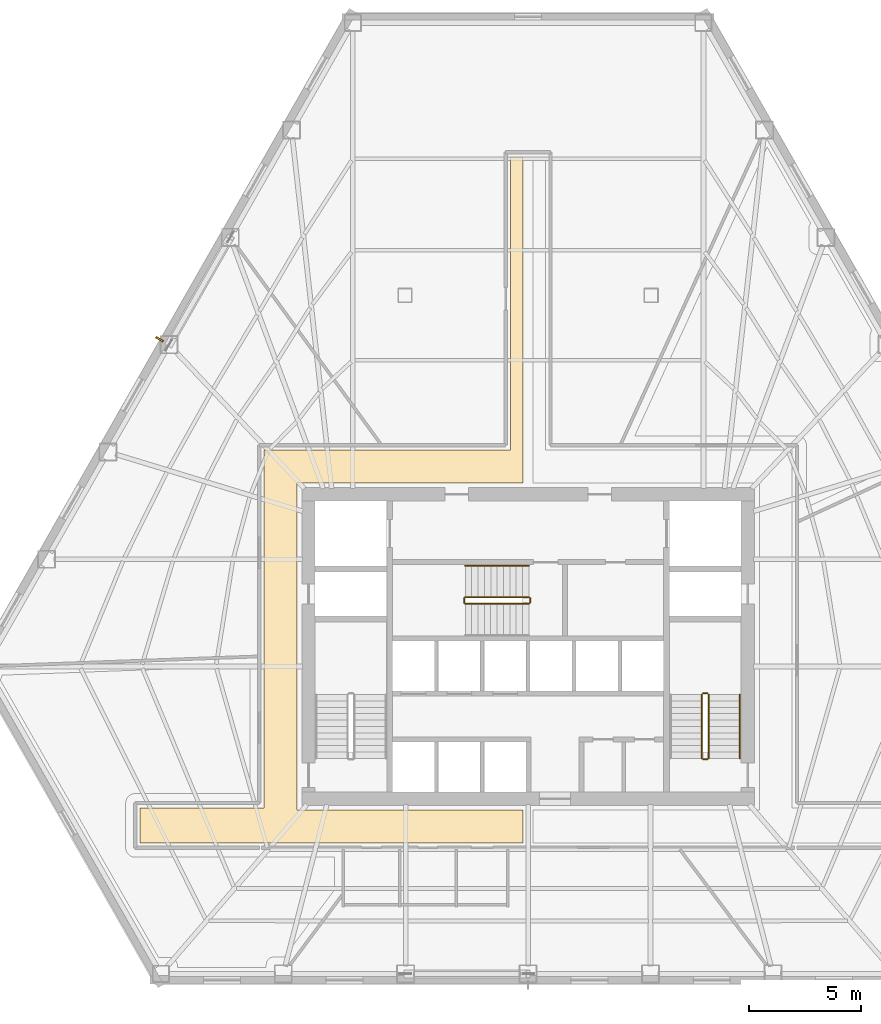
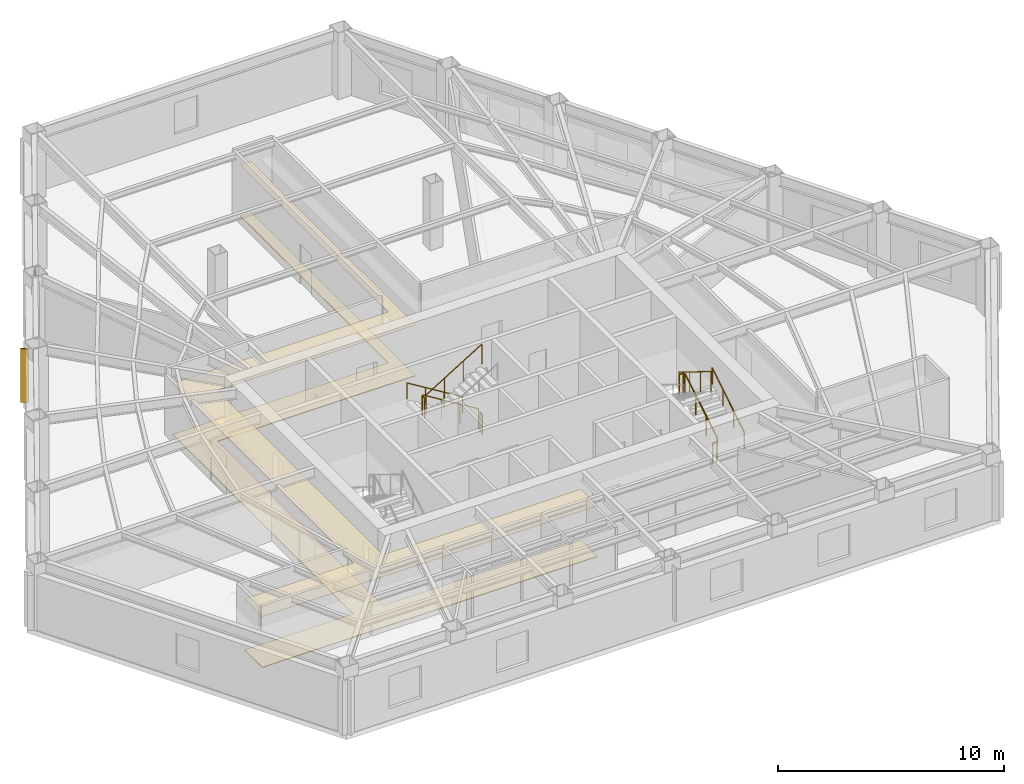
# One storey, part 10 of 11: 10 railings, 2 coverings, 1 shading device.
"""IFC4 building model written with IfcOpenShell, lengths in metres."""

import ifcopenshell
import ifcopenshell.guid

model = None  # the IFC model being written
_history = None  # IfcOwnerHistory: only IFC2X3 demands one
_inside = {}  # id of a spatial element -> (the spatial element, [elements in it])
_under = {}  # id of a project, library or spatial element -> (it, [spatial elements below it])
_declared = {}  # id of a project -> (the project, [libraries it declares])
_typed = {}  # id of a type object -> (the type object, [elements of that type])
_made_of = {}  # id of a material, layer set ... -> (it, [elements and type objects made of it])


def new_model(schema):
    """Start an empty IFC model of exactly this schema.

    Asked for "IFC4X3", IfcOpenShell would pick the latest addendum, in which some entities
    have other attributes; the version numbers below select the first issue.
    IFC2X3 requires an IfcOwnerHistory on every rooted entity: one is made here for all.
    """
    global model, _history
    if schema == "IFC4X3":
        model = ifcopenshell.file(schema_version=(4, 3, 0, 0))
    else:
        model = ifcopenshell.file(schema=schema)
    _inside.clear()
    _under.clear()
    _declared.clear()
    _typed.clear()
    _made_of.clear()
    _history = None
    if model.schema == "IFC2X3":
        org = make("IfcOrganization", Name="unknown")
        user = make(
            "IfcPersonAndOrganization",
            ThePerson=make("IfcPerson", FamilyName="unknown"),
            TheOrganization=org,
        )
        app = make(
            "IfcApplication",
            ApplicationDeveloper=org,
            Version="unknown",
            ApplicationFullName="unknown",
            ApplicationIdentifier="unknown",
        )
        _history = make(
            "IfcOwnerHistory",
            OwningUser=user,
            OwningApplication=app,
            ChangeAction="ADDED",
            CreationDate=0,
        )
    return model


def make(cls, **values):
    """One entity of the class cls with the attributes given. An attribute that is None is left unset."""
    return model.create_entity(
        cls, **{name: value for name, value in values.items() if value is not None}
    )


def rooted(cls, **values):
    """An entity with a GlobalId (a new one), such as an element, a storey or a relation."""
    return make(cls, GlobalId=ifcopenshell.guid.new(), OwnerHistory=_history, **values)


def si_unit(unit_type, name, prefix=None):
    """IfcSIUnit, for example si_unit("LENGTHUNIT", "METRE", prefix="MILLI")."""
    return make("IfcSIUnit", UnitType=unit_type, Prefix=prefix, Name=name)


def assignment(units):
    """IfcUnitAssignment: the units of a project."""
    return None if units is None else make("IfcUnitAssignment", Units=units)


def point(xyz):
    """IfcCartesianPoint."""
    return None if xyz is None else make("IfcCartesianPoint", Coordinates=xyz)


def direction(xyz):
    """IfcDirection."""
    return None if xyz is None else make("IfcDirection", DirectionRatios=xyz)


def frame(location, z_axis=None, x_axis=None):
    """IfcAxis2Placement3D, a coordinate frame: its origin and axes. An axis left out is left unset."""
    return make(
        "IfcAxis2Placement3D",
        Location=point(location),
        Axis=direction(z_axis),
        RefDirection=direction(x_axis),
    )


def frame_2d(location, x_axis=None):
    """IfcAxis2Placement2D, a coordinate frame in the plane: its origin and x axis."""
    return make(
        "IfcAxis2Placement2D", Location=point(location), RefDirection=direction(x_axis)
    )


def origin():
    """The frame at (0, 0, 0) with its axes left unset."""
    return frame((0.0, 0.0, 0.0))


def origin_2d():
    """The frame at (0, 0) in the plane with its x axis left unset."""
    return frame_2d((0.0, 0.0))


def place(relative_to, where):
    """IfcLocalPlacement: puts the frame where relative to a parent placement (None: the world)."""
    return make(
        "IfcLocalPlacement", PlacementRelTo=relative_to, RelativePlacement=where
    )


def context(
    kind, dimensions, precision=None, world=None, true_north=None, identifier=None
):
    """IfcGeometricRepresentationContext, for example the 3D "Model" context."""
    return make(
        "IfcGeometricRepresentationContext",
        ContextIdentifier=identifier,
        ContextType=kind,
        CoordinateSpaceDimension=dimensions,
        Precision=precision,
        WorldCoordinateSystem=world,
        TrueNorth=true_north,
    )


def subcontext(parent, identifier, kind, view, scale=None):
    """IfcGeometricRepresentationSubContext, for example "Body" below "Model"."""
    return make(
        "IfcGeometricRepresentationSubContext",
        ContextIdentifier=identifier,
        ContextType=kind,
        ParentContext=parent,
        TargetScale=scale,
        TargetView=view,
    )


def project(units=None, contexts=None):
    """IfcProject with its units and contexts."""
    return rooted(
        "IfcProject",
        Name="project",
        RepresentationContexts=contexts,
        UnitsInContext=assignment(units),
    )


def spatial(cls, under=None, at=None, **own):
    """A site, building, storey or space (cls), placed at a placement, below another one or the project."""
    s = rooted(cls, ObjectPlacement=at, **own)
    if under is not None:
        _under.setdefault(under.id(), (under, []))[1].append(s)
    return s


def polyline(points):
    """IfcPolyline through the points."""
    return make("IfcPolyline", Points=[point(p) for p in points])


def profile(cls, at=None, kind="AREA", **sizes):
    """A parametric profile (cls). Its sizes go by their IFC names, for example OverallWidth=200.0."""
    return make(cls, ProfileType=kind, Position=at, **sizes)


def rectangle(**sizes):
    """IfcRectangleProfileDef."""
    return profile("IfcRectangleProfileDef", **sizes)


def circle(**sizes):
    """IfcCircleProfileDef."""
    return profile("IfcCircleProfileDef", **sizes)


def outline(outer, holes=None, kind="AREA"):
    """IfcArbitraryClosedProfileDef: a profile drawn as a closed curve; with holes, ...WithVoids."""
    if holes is None:
        return make("IfcArbitraryClosedProfileDef", ProfileType=kind, OuterCurve=outer)
    return make(
        "IfcArbitraryProfileDefWithVoids",
        ProfileType=kind,
        OuterCurve=outer,
        InnerCurves=holes,
    )


def extrude(swept, where, along, depth):
    """IfcExtrudedAreaSolid: the profile swept, set in the frame where, extruded along a direction by depth."""
    return make(
        "IfcExtrudedAreaSolid",
        SweptArea=swept,
        Position=where,
        ExtrudedDirection=direction(along),
        Depth=depth,
    )


def shape(context_of_items, identifier, shape_type, items):
    """IfcShapeRepresentation: the items that make up one representation, for example the "Body"."""
    return make(
        "IfcShapeRepresentation",
        ContextOfItems=context_of_items,
        RepresentationIdentifier=identifier,
        RepresentationType=shape_type,
        Items=items,
    )


def material(Name=None, Category=None):
    """IfcMaterial."""
    return make("IfcMaterial", Name=Name, Category=Category)


def layer(
    of_material, thickness, ventilated=None, Name=None, Category=None, Priority=None
):
    """IfcMaterialLayer: one layer of a wall or slab, of a material (None: an air gap)."""
    return make(
        "IfcMaterialLayer",
        Material=of_material,
        LayerThickness=thickness,
        IsVentilated=ventilated,
        Name=Name,
        Category=Category,
        Priority=Priority,
    )


def layer_set(layers, Name=None):
    """IfcMaterialLayerSet."""
    return make("IfcMaterialLayerSet", MaterialLayers=layers, LayerSetName=Name)


def made_of(thing, what):
    """Note that an element or type object is made of a material, layer set ...; save() writes the relation."""
    if what is not None:
        _made_of.setdefault(what.id(), (what, []))[1].append(thing)
    return thing


def type_object(cls, material=None, **own):
    """A type object (cls), such as IfcWallType, which elements share."""
    return made_of(rooted(cls, **own), material)


def element(
    cls,
    number,
    at=None,
    inside=None,
    cuts=None,
    type_object=None,
    material=None,
    context=None,
    identifier="Body",
    shape_type=None,
    held_by="IfcProductDefinitionShape",
    body=None,
    shapes=None,
    **own,
):
    """One element of the class cls, such as IfcWall. Its Tag is "e" and its number.

    at: its placement. inside: the storey or other place that contains it. cuts: it is an
    opening in that element (IfcRelVoidsElement). A single representation is given by context,
    identifier, shape_type and body (its items); several are given by shapes. held_by: the class
    of the entity that holds the representations. save() writes the other relations.
    """
    e = rooted(cls, Tag="e%d" % number, ObjectPlacement=at, **own)
    if body is not None:
        shapes = [shape(context, identifier, shape_type, body)]
    if shapes is not None:
        e.Representation = make(held_by, Representations=shapes)
    if inside is not None:
        _inside.setdefault(inside.id(), (inside, []))[1].append(e)
    if cuts is not None:
        rooted(
            "IfcRelVoidsElement", RelatingBuildingElement=cuts, RelatedOpeningElement=e
        )
    if type_object is not None:
        _typed.setdefault(type_object.id(), (type_object, []))[1].append(e)
    return made_of(e, material)


def aggregate(whole, parts):
    """IfcRelAggregates: a whole, such as a stair, and the parts it consists of."""
    return rooted("IfcRelAggregates", RelatingObject=whole, RelatedObjects=parts)


def save(model, path):
    """Write the relations noted so far, then the file.

    IfcRelAggregates (storeys below a building ...), IfcRelContainedInSpatialStructure (elements
    in a storey), IfcRelDefinesByType, IfcRelAssociatesMaterial and IfcRelDeclares: one each for
    every whole, place, type object, material and project.
    """
    for whole, parts in _under.values():
        aggregate(whole, parts)
    for where, things in _inside.values():
        rooted(
            "IfcRelContainedInSpatialStructure",
            RelatedElements=things,
            RelatingStructure=where,
        )
    for kind, things in _typed.values():
        rooted("IfcRelDefinesByType", RelatedObjects=things, RelatingType=kind)
    for what, things in _made_of.values():
        rooted("IfcRelAssociatesMaterial", RelatedObjects=things, RelatingMaterial=what)
    for by, libraries in _declared.values():
        rooted("IfcRelDeclares", RelatingContext=by, RelatedDefinitions=libraries)
    model.write(path)


model = new_model("IFC4")

# Units and contexts
model_context = context("Model", 3, precision=1e-05, world=origin(), true_north=direction((0.0, 1.0)))
body_context = subcontext(model_context, "Body", "Model", "MODEL_VIEW")
ifc_project = project(units=[si_unit("LENGTHUNIT", "METRE"), si_unit("AREAUNIT", "SQUARE_METRE"), si_unit("VOLUMEUNIT", "CUBIC_METRE"), si_unit("PLANEANGLEUNIT", "RADIAN"), si_unit("MASSUNIT", "GRAM", prefix="KILO")], contexts=[model_context])

# Site, building, storey
site_placement = place(None, origin())
site = spatial("IfcSite", under=ifc_project, at=site_placement, CompositionType="ELEMENT")
building_placement = place(site_placement, origin())
building = spatial("IfcBuilding", under=site, at=building_placement, Name="Kavelnor Concourse Tower", CompositionType="ELEMENT")
storey_placement = place(building_placement, frame((0.0, 0.0, 25.25)))
storey = spatial("IfcBuildingStorey", under=building, at=storey_placement, Name="L06", CompositionType="ELEMENT", Elevation=25.25)

# Coverings
ifc_material_1 = material(Name="Mineral fibre acoustic ceiling tile")
ifc_layer_1 = layer(ifc_material_1, 0.0400390625, Name="Mineral fibre acoustic ceiling tile")
ifc_layer_set_1 = layer_set([ifc_layer_1], Name="Mineral fibre acoustic ceiling tile")
covering_type_1 = type_object("IfcCoveringType", Name="COV-CEILING-ACOUSTIC", PredefinedType="CEILING", material=ifc_layer_set_1)
covering_1_placement = place(storey_placement, frame((0.0, 0.0, 2.75)))
element("IfcCovering", 1, at=covering_1_placement, inside=storey, type_object=covering_type_1, Name="L06 Suspended Acoustic Ceiling", PredefinedType="CEILING", context=body_context, shape_type="SweptSolid", body=[
    extrude(outline(polyline([(37.219970703125, 37.97998046875), (37.77490234375, 37.97998046875), (37.77490234375, 23.419921875), (27.659912109375, 23.419921875), (27.659912109375, 8.780029296875), (37.77490234375, 8.780029296875), (37.77490234375, 7.320068359375), (20.650390625, 7.320068359375), (20.650390625, 8.8798828125), (26.199951171875, 8.8798828125), (26.199951171875, 24.8798828125), (37.219970703125, 24.8798828125), (37.219970703125, 37.97998046875)])), origin(), (0.0, 0.0, 1.0), 0.0400390625),
])
ifc_material_2 = material(Name="Honed bluestone and raised access floor finish", Category="masonry")
ifc_layer_2 = layer(ifc_material_2, 0.0400390625, Name="Honed bluestone and raised access floor finish")
ifc_layer_set_2 = layer_set([ifc_layer_2], Name="Honed bluestone and raised access floor finish")
covering_type_2 = type_object("IfcCoveringType", Name="COV-FLOOR-STONE", PredefinedType="FLOORING", material=ifc_layer_set_2)
covering_2_placement = place(storey_placement, frame((0.0, 0.0, 0.001953125)))
element("IfcCovering", 2, at=covering_2_placement, inside=storey, type_object=covering_type_2, Name="L06 Honed Bluestone Floor Finish", PredefinedType="FLOORING", context=body_context, shape_type="SweptSolid", body=[
    extrude(outline(polyline([(37.219970703125, 37.97998046875), (37.77490234375, 37.97998046875), (37.77490234375, 23.419921875), (27.659912109375, 23.419921875), (27.659912109375, 8.780029296875), (37.77490234375, 8.780029296875), (37.77490234375, 7.320068359375), (20.650390625, 7.320068359375), (20.650390625, 8.8798828125), (26.199951171875, 8.8798828125), (26.199951171875, 24.8798828125), (37.219970703125, 24.8798828125), (37.219970703125, 37.97998046875)])), origin(), (0.0, 0.0, 1.0), 0.0400390625),
])

# Railings
ifc_material_3 = material(Name="Steel Grade 350", Category="steel")
railing_type_1 = type_object("IfcRailingType", Name="RLG-GUARD-1100", PredefinedType="GUARDRAIL", material=ifc_material_3)
railing_1_placement = place(storey_placement, frame((46.070068359375, 11.10009765625, 0.175048828125)))
element("IfcRailing", 3, at=railing_1_placement, inside=storey, type_object=railing_type_1, Name="L06 ST2 stair guard 1", PredefinedType="GUARDRAIL", context=body_context, shape_type="SweptSolid", body=[
    extrude(circle(Radius=0.02392578125, at=origin_2d()), frame((0.0, 0.0, 1.076171875), z_axis=(0.0, 0.852159232446, 0.523282564737), x_axis=(-1.0, 0.0, 0.0)), (0.0, 0.0, 1.0), 3.34423828125),
    extrude(circle(Radius=0.02099609375, at=origin_2d()), origin(), (0.0, 0.0, 1.0), 1.052001953125),
    extrude(circle(Radius=0.02099609375, at=origin_2d()), frame((0.0, 0.949951171875, 0.583251953125)), (0.0, 0.0, 1.0), 1.052001953125),
    extrude(circle(Radius=0.02099609375, at=origin_2d()), frame((0.0, 1.89990234375, 1.166748046875)), (0.0, 0.0, 1.0), 1.052001953125),
    extrude(circle(Radius=0.02099609375, at=origin_2d()), frame((0.0, 2.849853515625, 1.75)), (0.0, 0.0, 1.0), 1.052001953125),
])
railing_2_placement = place(storey_placement, frame((46.02001953125, 14.0, 1.925048828125)))
element("IfcRailing", 4, at=railing_2_placement, inside=storey, type_object=railing_type_1, Name="L06 ST2 stair guard 2", PredefinedType="GUARDRAIL", context=body_context, shape_type="SweptSolid", body=[
    extrude(circle(Radius=0.02392578125, at=origin_2d()), frame((0.0, 0.0, 1.076171875), z_axis=(-1.0, 0.0, 0.0), x_axis=(0.0, -1.0, 0.0)), (0.0, 0.0, 1.0), 0.199951171875),
    extrude(circle(Radius=0.02099609375, at=origin_2d()), origin(), (0.0, 0.0, 1.0), 1.052001953125),
    extrude(circle(Radius=0.02099609375, at=origin_2d()), frame((-0.199951171875, 0.0, 0.0)), (0.0, 0.0, 1.0), 1.052001953125),
])
railing_3_placement = place(storey_placement, frame((45.77001953125, 13.949951171875, 2.10009765625)))
element("IfcRailing", 5, at=railing_3_placement, inside=storey, type_object=railing_type_1, Name="L06 ST2 stair guard 3", PredefinedType="GUARDRAIL", context=body_context, shape_type="SweptSolid", body=[
    extrude(circle(Radius=0.02392578125, at=origin_2d()), frame((0.0, 0.0, 1.076171875), z_axis=(0.0, -0.852159232446, 0.523282564737), x_axis=(1.0, 0.0, 0.0)), (0.0, 0.0, 1.0), 3.34423828125),
    extrude(circle(Radius=0.02099609375, at=origin_2d()), origin(), (0.0, 0.0, 1.0), 1.052001953125),
    extrude(circle(Radius=0.02099609375, at=origin_2d()), frame((0.0, -0.949951171875, 0.583251953125)), (0.0, 0.0, 1.0), 1.052001953125),
    extrude(circle(Radius=0.02099609375, at=origin_2d()), frame((0.0, -1.89990234375, 1.166748046875)), (0.0, 0.0, 1.0), 1.052001953125),
    extrude(circle(Radius=0.02099609375, at=origin_2d()), frame((0.0, -2.849853515625, 1.75)), (0.0, 0.0, 1.0), 1.052001953125),
])
railing_4_placement = place(storey_placement, frame((46.02001953125, 11.050048828125, 0.0)))
element("IfcRailing", 6, at=railing_4_placement, inside=storey, type_object=railing_type_1, Name="L06 ST2 stair guard 4", PredefinedType="GUARDRAIL", context=body_context, shape_type="SweptSolid", body=[
    extrude(circle(Radius=0.02392578125, at=origin_2d()), frame((0.0, 0.0, 1.076171875), z_axis=(-1.0, 0.0, 0.0), x_axis=(0.0, -1.0, 0.0)), (0.0, 0.0, 1.0), 0.199951171875),
    extrude(circle(Radius=0.02099609375, at=origin_2d()), origin(), (0.0, 0.0, 1.0), 1.052001953125),
    extrude(circle(Radius=0.02099609375, at=origin_2d()), frame((-0.199951171875, 0.0, 0.0)), (0.0, 0.0, 1.0), 1.052001953125),
])
railing_5_placement = place(storey_placement, frame((38.0400390625, 18.31005859375, 0.175048828125)))
element("IfcRailing", 7, at=railing_5_placement, inside=storey, type_object=railing_type_1, Name="L06 ST3 stair guard 1", PredefinedType="GUARDRAIL", context=body_context, shape_type="SweptSolid", body=[
    extrude(circle(Radius=0.02392578125, at=origin_2d()), frame((0.0, 0.0, 1.076171875), z_axis=(-0.852179220489, 0.0, 0.52325001306), x_axis=(0.0, -1.0, 0.0)), (0.0, 0.0, 1.0), 3.344482421875),
    extrude(circle(Radius=0.02099609375, at=origin_2d()), origin(), (0.0, 0.0, 1.0), 1.052001953125),
    extrude(circle(Radius=0.02099609375, at=origin_2d()), frame((-0.949951171875, 0.0, 0.583251953125)), (0.0, 0.0, 1.0), 1.052001953125),
    extrude(circle(Radius=0.02099609375, at=origin_2d()), frame((-1.900146484375, 0.0, 1.166748046875)), (0.0, 0.0, 1.0), 1.052001953125),
    extrude(circle(Radius=0.02099609375, at=origin_2d()), frame((-2.85009765625, 0.0, 1.75)), (0.0, 0.0, 1.0), 1.052001953125),
])
railing_6_placement = place(storey_placement, frame((35.139892578125, 18.260009765625, 1.925048828125)))
element("IfcRailing", 8, at=railing_6_placement, inside=storey, type_object=railing_type_1, Name="L06 ST3 stair guard 2", PredefinedType="GUARDRAIL", context=body_context, shape_type="SweptSolid", body=[
    extrude(circle(Radius=0.02392578125, at=origin_2d()), frame((0.0, 0.0, 1.076171875), z_axis=(0.0, -1.0, 0.0), x_axis=(1.0, 0.0, 0.0)), (0.0, 0.0, 1.0), 0.199951171875),
    extrude(circle(Radius=0.02099609375, at=origin_2d()), origin(), (0.0, 0.0, 1.0), 1.052001953125),
    extrude(circle(Radius=0.02099609375, at=origin_2d()), frame((0.0, -0.199951171875, 0.0)), (0.0, 0.0, 1.0), 1.052001953125),
])
railing_7_placement = place(storey_placement, frame((35.18994140625, 18.010009765625, 2.10009765625)))
element("IfcRailing", 9, at=railing_7_placement, inside=storey, type_object=railing_type_1, Name="L06 ST3 stair guard 3", PredefinedType="GUARDRAIL", context=body_context, shape_type="SweptSolid", body=[
    extrude(circle(Radius=0.02392578125, at=origin_2d()), frame((0.0, 0.0, 1.076171875), z_axis=(0.852179220489, 0.0, 0.52325001306), x_axis=(0.0, 1.0, 0.0)), (0.0, 0.0, 1.0), 3.344482421875),
    extrude(circle(Radius=0.02099609375, at=origin_2d()), origin(), (0.0, 0.0, 1.0), 1.052001953125),
    extrude(circle(Radius=0.02099609375, at=origin_2d()), frame((0.949951171875, 0.0, 0.583251953125)), (0.0, 0.0, 1.0), 1.052001953125),
    extrude(circle(Radius=0.02099609375, at=origin_2d()), frame((1.900146484375, 0.0, 1.166748046875)), (0.0, 0.0, 1.0), 1.052001953125),
    extrude(circle(Radius=0.02099609375, at=origin_2d()), frame((2.85009765625, 0.0, 1.75)), (0.0, 0.0, 1.0), 1.052001953125),
])
railing_8_placement = place(storey_placement, frame((38.090087890625, 18.260009765625, 0.0)))
element("IfcRailing", 10, at=railing_8_placement, inside=storey, type_object=railing_type_1, Name="L06 ST3 stair guard 4", PredefinedType="GUARDRAIL", context=body_context, shape_type="SweptSolid", body=[
    extrude(circle(Radius=0.02392578125, at=origin_2d()), frame((0.0, 0.0, 1.076171875), z_axis=(0.0, -1.0, 0.0), x_axis=(1.0, 0.0, 0.0)), (0.0, 0.0, 1.0), 0.199951171875),
    extrude(circle(Radius=0.02099609375, at=origin_2d()), origin(), (0.0, 0.0, 1.0), 1.052001953125),
    extrude(circle(Radius=0.02099609375, at=origin_2d()), frame((0.0, -0.199951171875, 0.0)), (0.0, 0.0, 1.0), 1.052001953125),
])
railing_type_2 = type_object("IfcRailingType", Name="RLG-HANDRAIL-900", PredefinedType="HANDRAIL", material=ifc_material_3)
railing_9_placement = place(storey_placement, frame((47.469970703125, 11.10009765625, 0.175048828125)))
element("IfcRailing", 11, at=railing_9_placement, inside=storey, type_object=railing_type_2, Name="L06 ST2 stair handrail 1", PredefinedType="HANDRAIL", context=body_context, shape_type="SweptSolid", body=[
    extrude(circle(Radius=0.02392578125, at=origin_2d()), frame((0.0, 0.0, 0.8759765625), z_axis=(0.0, 0.852159232446, 0.523282564737), x_axis=(-1.0, 0.0, 0.0)), (0.0, 0.0, 1.0), 3.34423828125),
    extrude(circle(Radius=0.02099609375, at=origin_2d()), origin(), (0.0, 0.0, 1.0), 0.851806640625),
    extrude(circle(Radius=0.02099609375, at=origin_2d()), frame((0.0, 0.949951171875, 0.583251953125)), (0.0, 0.0, 1.0), 0.851806640625),
    extrude(circle(Radius=0.02099609375, at=origin_2d()), frame((0.0, 1.89990234375, 1.166748046875)), (0.0, 0.0, 1.0), 0.851806640625),
    extrude(circle(Radius=0.02099609375, at=origin_2d()), frame((0.0, 2.849853515625, 1.75)), (0.0, 0.0, 1.0), 0.851806640625),
])
railing_10_placement = place(storey_placement, frame((38.0400390625, 19.7099609375, 0.175048828125)))
element("IfcRailing", 12, at=railing_10_placement, inside=storey, type_object=railing_type_2, Name="L06 ST3 stair handrail 1", PredefinedType="HANDRAIL", context=body_context, shape_type="SweptSolid", body=[
    extrude(circle(Radius=0.02392578125, at=origin_2d()), frame((0.0, 0.0, 0.8759765625), z_axis=(-0.852179220489, 0.0, 0.52325001306), x_axis=(0.0, -1.0, 0.0)), (0.0, 0.0, 1.0), 3.344482421875),
    extrude(circle(Radius=0.02099609375, at=origin_2d()), origin(), (0.0, 0.0, 1.0), 0.851806640625),
    extrude(circle(Radius=0.02099609375, at=origin_2d()), frame((-0.949951171875, 0.0, 0.583251953125)), (0.0, 0.0, 1.0), 0.851806640625),
    extrude(circle(Radius=0.02099609375, at=origin_2d()), frame((-1.900146484375, 0.0, 1.166748046875)), (0.0, 0.0, 1.0), 0.851806640625),
    extrude(circle(Radius=0.02099609375, at=origin_2d()), frame((-2.85009765625, 0.0, 1.75)), (0.0, 0.0, 1.0), 0.851806640625),
])

# Shading device
ifc_material_4 = material(Name="Architectural bronze-anodised aluminium", Category="aluminium")
ifc_layer_3 = layer(ifc_material_4, 0.06005859375, Name="Architectural bronze-anodised aluminium")
ifc_layer_set_3 = layer_set([ifc_layer_3], Name="Architectural bronze-anodised aluminium")
shading_device_type = type_object("IfcShadingDeviceType", Name="SHD-SOLAR-FIN", PredefinedType="JALOUSIE", material=ifc_layer_set_3)
shading_device_placement = place(storey_placement, frame((21.52099609375, 29.839599609375, 0.400146484375), z_axis=(0.0, 0.0, 1.0), x_axis=(-0.86845851382, 0.495761847839, 0.0)))
element("IfcShadingDevice", 13, at=shading_device_placement, inside=storey, type_object=shading_device_type, Name="L06 Bronze Pier Solar Fin F0", PredefinedType="JALOUSIE", context=body_context, shape_type="SweptSolid", body=[
    extrude(rectangle(XDim=0.3798828125, YDim=0.080078125, at=origin_2d()), origin(), (0.0, 0.0, 1.0), 2.89990234375),
])

save(model, "model.ifc")
